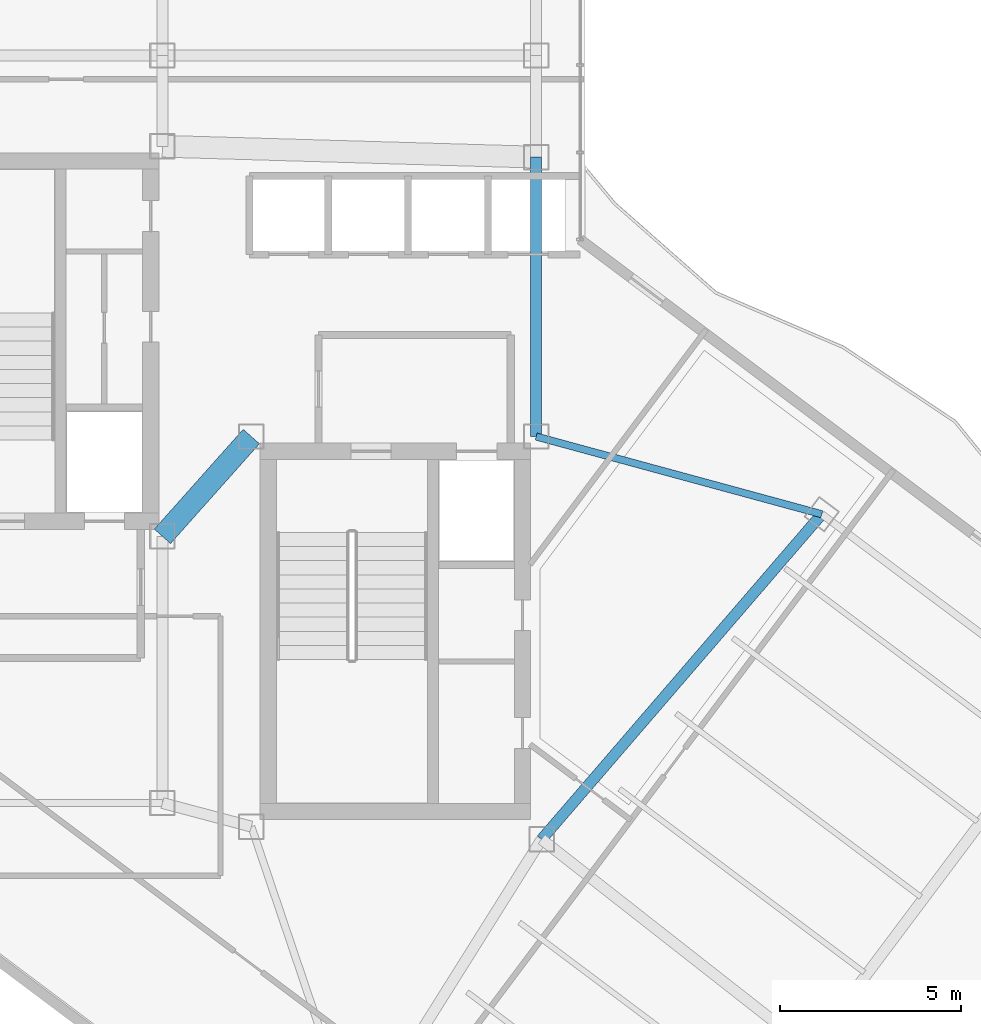
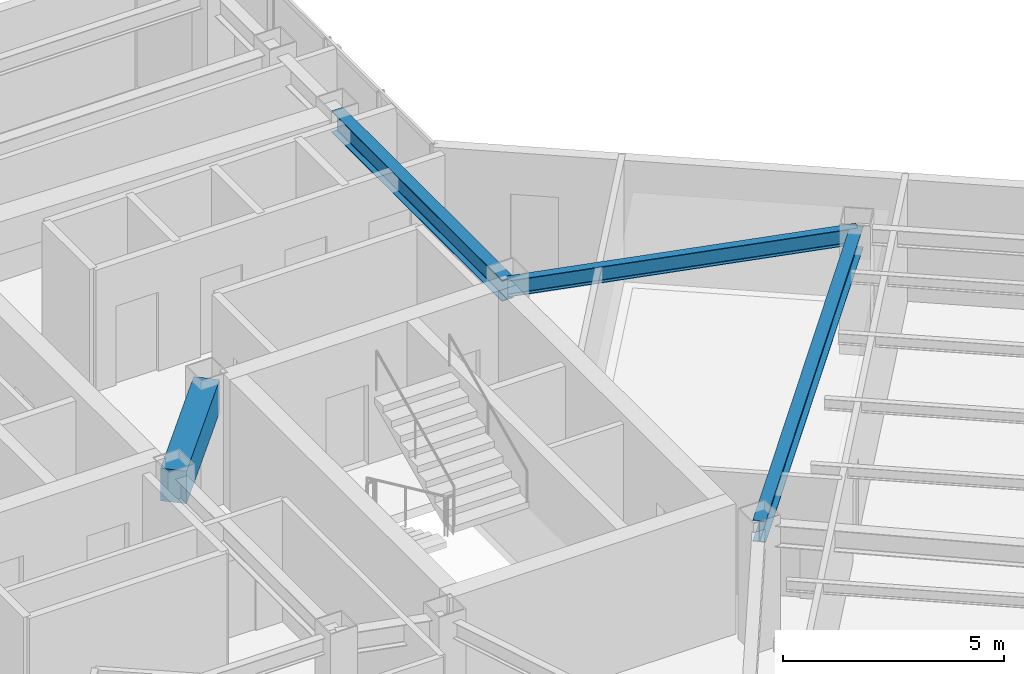
# One storey, part 9 of 25: 4 beams.
"""IFC4 building model written with IfcOpenShell, lengths in metres."""

from ifc_helpers import new_model, si_unit, direction, frame, origin, origin_2d, place, context, subcontext, project, spatial, rectangle, i_section, extrude, material, material_profile, profile_set, type_object, element, save


model = new_model("IFC4")

# Units and contexts
model_context = context("Model", 3, precision=1e-05, world=origin(), true_north=direction((0.0, 1.0)))
body_context = subcontext(model_context, "Body", "Model", "MODEL_VIEW")
ifc_project = project(units=[si_unit("LENGTHUNIT", "METRE"), si_unit("AREAUNIT", "SQUARE_METRE"), si_unit("VOLUMEUNIT", "CUBIC_METRE"), si_unit("PLANEANGLEUNIT", "RADIAN"), si_unit("MASSUNIT", "GRAM", prefix="KILO")], contexts=[model_context])

# Site, building, storey
site_placement = place(None, origin())
site = spatial("IfcSite", under=ifc_project, at=site_placement, CompositionType="ELEMENT")
building_placement = place(site_placement, origin())
building = spatial("IfcBuilding", under=site, at=building_placement, Name="Hatsunagi Terrace Concourse", CompositionType="ELEMENT")
storey_placement = place(building_placement, frame((0.0, 0.0, 220.35009765625)))
storey = spatial("IfcBuildingStorey", under=building, at=storey_placement, Name="L58", CompositionType="ELEMENT", Elevation=220.35009765625)

# Beams
ifc_material_1 = material(Name="Concrete Fc42", Category="concrete")
ifc_material_profile_1 = material_profile(ifc_material_1, rectangle(XDim=0.60009765625, YDim=0.89990234375, at=origin_2d()), Name="RC-600x900")
ifc_profile_set_1 = profile_set([ifc_material_profile_1], Name="Concrete Fc42")
beam_type_1 = type_object("IfcBeamType", Name="CoreCouplingBeam_RC_600x900", PredefinedType="BEAM", material=ifc_profile_set_1)
beam_1_placement = place(storey_placement, frame((33.35009765625, 32.550048828125, 2.89990234375), z_axis=(0.665198651008, 0.746666427997, 0.0), x_axis=(-0.746666427997, 0.665198651008, 0.0)))
element("IfcBeam", 1, at=beam_1_placement, inside=storey, type_object=beam_type_1, Name="Beam CB-03 CB-L58-1", PredefinedType="BEAM", context=body_context, shape_type="SweptSolid", body=[
    extrude(rectangle(XDim=0.60009765625, YDim=0.89990234375, at=origin_2d()), origin(), (0.0, 0.0, 1.0), 3.68310546875),
])
ifc_material_2 = material(Name="Steel SN490B", Category="steel")
ifc_material_profile_2 = material_profile(ifc_material_2, i_section(OverallWidth=0.300048828125, OverallDepth=0.587890625, WebThickness=0.011962890625, FlangeThickness=0.02001953125, FilletRadius=0.01806640625, at=origin_2d()), Name="H-588x300x12x20")
ifc_profile_set_2 = profile_set([ifc_material_profile_2], Name="Steel SN490B")
beam_type_2 = type_object("IfcBeamType", Name="OfficeHighGirder_H_588x300", PredefinedType="BEAM", material=ifc_profile_set_2)
beam_2_placement = place(storey_placement, frame((43.64990234375, 35.300048828125, 3.055908203125), z_axis=(0.0, 1.0, 0.0), x_axis=(-1.0, 0.0, 0.0)))
element("IfcBeam", 2, at=beam_2_placement, inside=storey, type_object=beam_type_2, Name="Beam G-06 BM-L58-CBK3", PredefinedType="BEAM", context=body_context, shape_type="SweptSolid", body=[
    extrude(i_section(OverallWidth=0.300048828125, OverallDepth=0.587890625, WebThickness=0.011962890625, FlangeThickness=0.02001953125, FilletRadius=0.01806640625, at=origin_2d()), origin(), (0.0, 0.0, 1.0), 7.699951171875),
])
beam_3_placement = place(storey_placement, frame((43.800048828125, 24.199951171875, 3.055908203125), z_axis=(0.652739101421, 0.757582777969, 0.0), x_axis=(-0.757582777969, 0.652739101421, 0.0)))
element("IfcBeam", 3, at=beam_3_placement, inside=storey, type_object=beam_type_2, Name="Beam G-06 BM-L58-SET-1B", PredefinedType="BEAM", context=body_context, shape_type="SweptSolid", body=[
    extrude(i_section(OverallWidth=0.300048828125, OverallDepth=0.587890625, WebThickness=0.011962890625, FlangeThickness=0.02001953125, FilletRadius=0.01806640625, at=origin_2d()), origin(), (0.0, 0.0, 1.0), 11.8271484375),
])
ifc_material_3 = material(Name="Steel SN490B", Category="steel")
ifc_material_profile_3 = material_profile(ifc_material_3, i_section(OverallWidth=0.199951171875, OverallDepth=0.449951171875, WebThickness=0.009033203125, FlangeThickness=0.013916015625, FilletRadius=0.01611328125, at=origin_2d()), Name="H-450x200x9x14")
ifc_profile_set_3 = profile_set([ifc_material_profile_3], Name="Steel SN490B")
beam_type_3 = type_object("IfcBeamType", Name="PerimeterSpandrel_H_450x200", PredefinedType="SPANDREL", material=ifc_profile_set_3)
beam_4_placement = place(storey_placement, frame((43.64990234375, 35.300048828125, 3.125), z_axis=(0.964958359286, -0.262403057994, 0.0), x_axis=(0.262403057994, 0.964958359286, 0.0)))
element("IfcBeam", 4, at=beam_4_placement, inside=storey, type_object=beam_type_3, Name="Beam SP-02 BM-L58-SE-NE0", PredefinedType="SPANDREL", context=body_context, shape_type="SweptSolid", body=[
    extrude(i_section(OverallWidth=0.199951171875, OverallDepth=0.449951171875, WebThickness=0.009033203125, FlangeThickness=0.013916015625, FilletRadius=0.01611328125, at=origin_2d()), origin(), (0.0, 0.0, 1.0), 8.156005859375),
])

save(model, "model.ifc")
